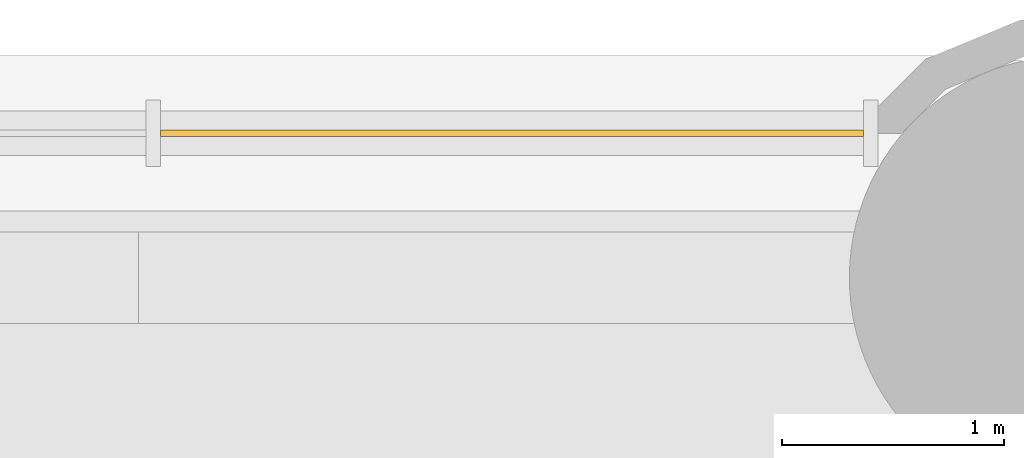
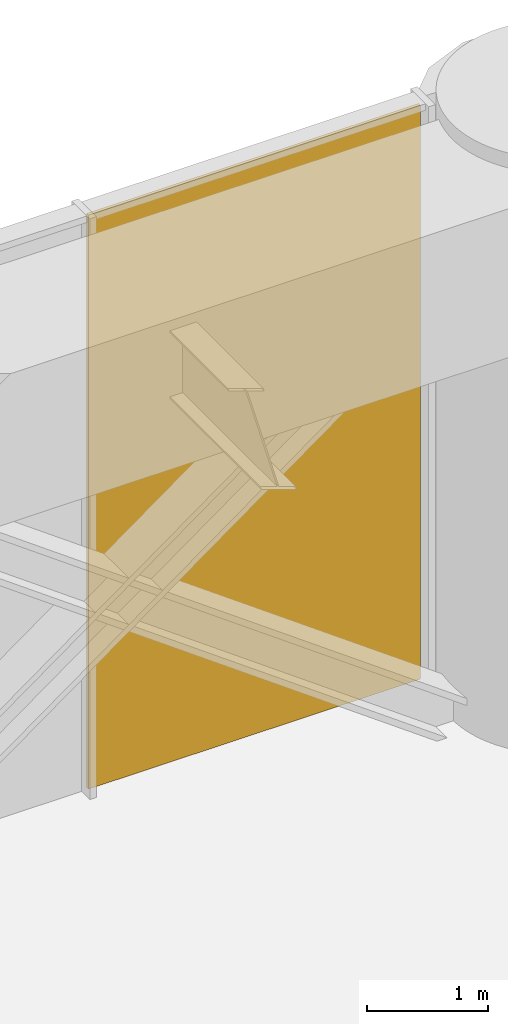
# One storey, part 12 of 12: 1 shading device, 1 element without a shape of its own.
"""IFC4 building model written with IfcOpenShell, lengths in metres."""

from ifc_helpers import new_model, si_unit, direction, frame, origin, origin_2d, place, context, subcontext, project, spatial, rectangle, extrude, material, layer, layer_set, type_object, element, aggregate, save


model = new_model("IFC4")

# Units and contexts
model_context = context("Model", 3, precision=1e-05, world=origin(), true_north=direction((0.0, 1.0)))
body_context = subcontext(model_context, "Body", "Model", "MODEL_VIEW")
ifc_project = project(units=[si_unit("LENGTHUNIT", "METRE"), si_unit("AREAUNIT", "SQUARE_METRE"), si_unit("VOLUMEUNIT", "CUBIC_METRE"), si_unit("PLANEANGLEUNIT", "RADIAN"), si_unit("MASSUNIT", "GRAM", prefix="KILO")], contexts=[model_context])

# Site, building, storey
site_placement = place(None, origin())
site = spatial("IfcSite", under=ifc_project, at=site_placement, CompositionType="ELEMENT")
building_placement = place(site_placement, origin())
building = spatial("IfcBuilding", under=site, at=building_placement, Name="Torre Alcanfor", CompositionType="ELEMENT")
storey_placement = place(building_placement, frame((0.0, 0.0, 102.89990234375)))
storey = spatial("IfcBuildingStorey", under=building, at=storey_placement, Name="L26", CompositionType="ELEMENT", Elevation=102.89990234375)

# Curtain wall, shading device
ifc_material_1 = material(Name="Aluminium and glass", Category="aluminium")
curtain_wall_type = type_object("IfcCurtainWallType", Name="CW-D plant floor louvre screen", PredefinedType="NOTDEFINED", material=ifc_material_1)
curtain_wall_placement = place(storey_placement, origin())
curtain_wall = element("IfcCurtainWall", 1, at=curtain_wall_placement, inside=storey, type_object=curtain_wall_type, Name="Curtain wall CW-D L26 11", PredefinedType="NOTDEFINED")
ifc_material_2 = material(Name="Aluminium louvre", Category="aluminium")
ifc_layer = layer(ifc_material_2, 0.028076171875)
ifc_layer_set = layer_set([ifc_layer], Name="CW-D aluminium louvre panel")
shading_device_type = type_object("IfcShadingDeviceType", Name="CW-D aluminium louvre panel", PredefinedType="SHUTTER", material=ifc_layer_set)
shading_device_placement = place(storey_placement, frame((39.481201171875, 59.449951171875, 0.0), z_axis=(0.0, 0.0, 1.0), x_axis=(-1.0, 0.0, 0.0)))
shading_device = element("IfcShadingDevice", 2, at=shading_device_placement, type_object=shading_device_type, Name="CW-D panel 1.1.1", PredefinedType="SHUTTER", context=body_context, shape_type="SweptSolid", body=[
    extrude(rectangle(XDim=3.1640625, YDim=0.028076171875, at=origin_2d()), origin(), (0.0, 0.0, 1.0), 5.784912109375),
])
aggregate(curtain_wall, [shading_device])

save(model, "model.ifc")
